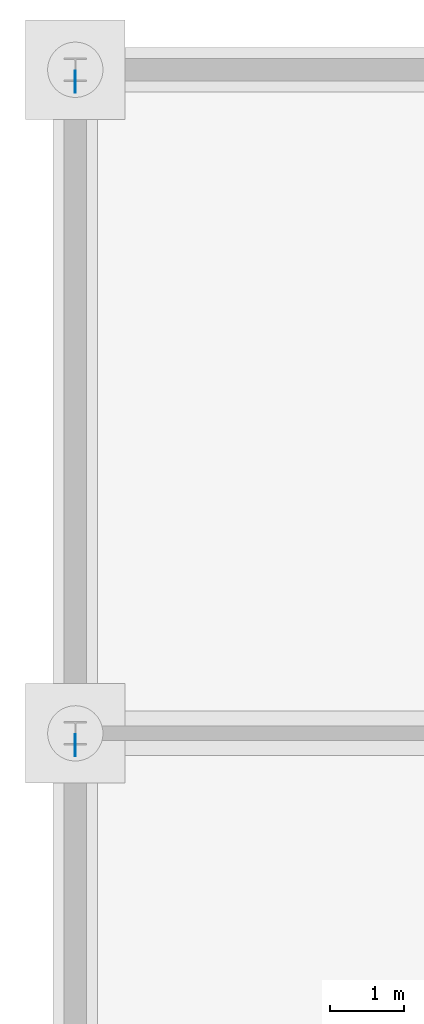
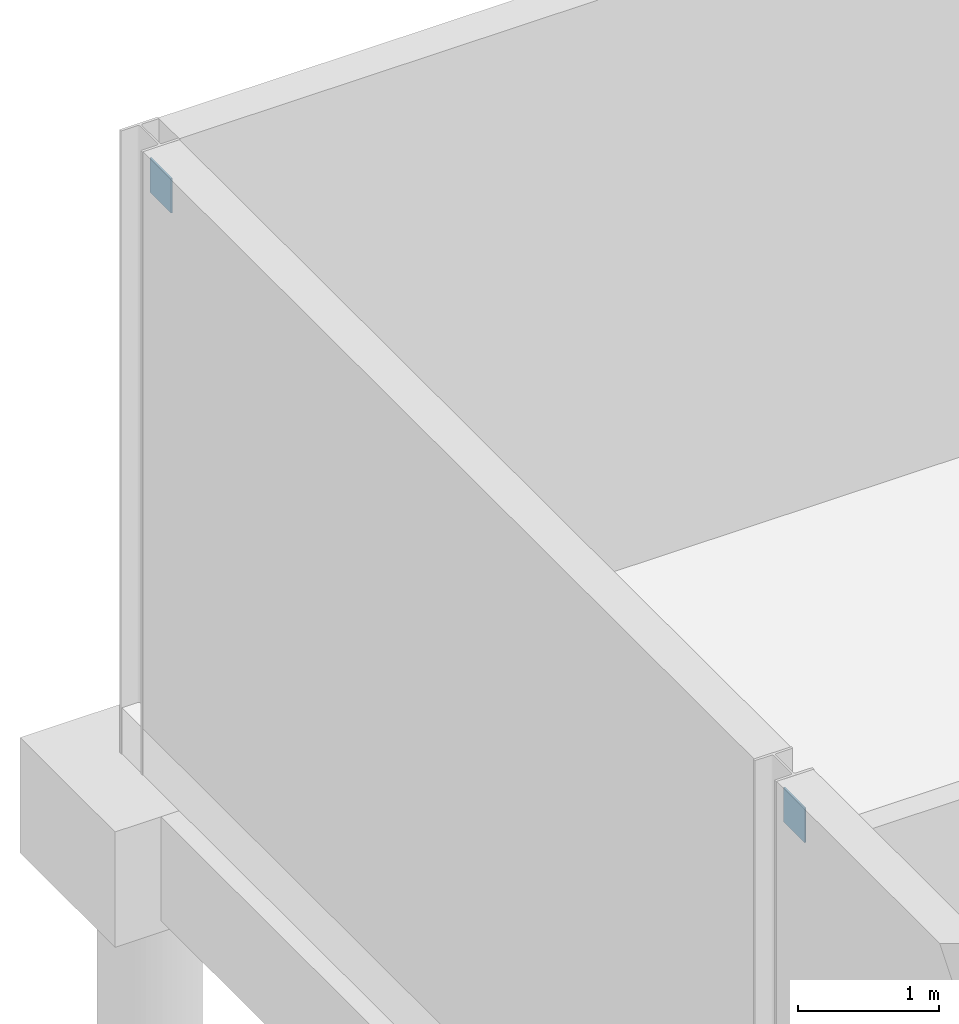
# One storey, part 20 of 25: 2 discrete accessories.
"""IFC4 building model written with IfcOpenShell, lengths in metres."""

from ifc_helpers import new_model, si_unit, direction, frame, origin, origin_2d, place, context, subcontext, project, spatial, rectangle, extrude, material, type_object, element, save


model = new_model("IFC4")

# Units and contexts
model_context = context("Model", 3, precision=1e-05, world=origin(), true_north=direction((0.0, 1.0)))
body_context = subcontext(model_context, "Body", "Model", "MODEL_VIEW")
ifc_project = project(units=[si_unit("LENGTHUNIT", "METRE"), si_unit("AREAUNIT", "SQUARE_METRE"), si_unit("VOLUMEUNIT", "CUBIC_METRE"), si_unit("PLANEANGLEUNIT", "RADIAN"), si_unit("MASSUNIT", "GRAM", prefix="KILO")], contexts=[model_context])

# Site, building, storey
site_placement = place(None, origin())
site = spatial("IfcSite", under=ifc_project, at=site_placement, CompositionType="ELEMENT")
building_placement = place(site_placement, origin())
building = spatial("IfcBuilding", under=site, at=building_placement, Name="Hortulan Conservatory and Botanical Research Centre", CompositionType="ELEMENT")
storey_placement = place(building_placement, frame((0.0, 0.0, -5.0)))
storey = spatial("IfcBuildingStorey", under=building, at=storey_placement, Name="B1", CompositionType="ELEMENT", Elevation=-5.0)

# Discrete accessories
ifc_material = material(Name="Steel Grade 300 plate (AS/NZS 3678, 280 MPa minimum yield)", Category="steel")
discrete_accessory_type = type_object("IfcDiscreteAccessoryType", Name="End Plate 300x12", PredefinedType="BRACKET", material=ifc_material)
for number, where, z_axis, x_axis, name in (
    (1, (0.0, 62.839599609375, 4.5078125), (0.0, 0.0, 1.0), (0.0, -1.0, 0.0), "Brace end plate"),
    (2, (0.0, 71.839599609375, 4.5078125), (0.0, 0.0, 1.0), (0.0, -1.0, 0.0), "Brace end plate"),
):
    element("IfcDiscreteAccessory", number, at=place(storey_placement, frame(where, z_axis=z_axis, x_axis=x_axis)), inside=storey, type_object=discrete_accessory_type, Name=name, PredefinedType="BRACKET", context=body_context, shape_type="SweptSolid", body=[
        extrude(rectangle(XDim=0.300048828125, YDim=0.011962890625, at=origin_2d()), origin(), (0.0, 0.0, 1.0), 0.300048828125),
    ])

save(model, "model.ifc")
